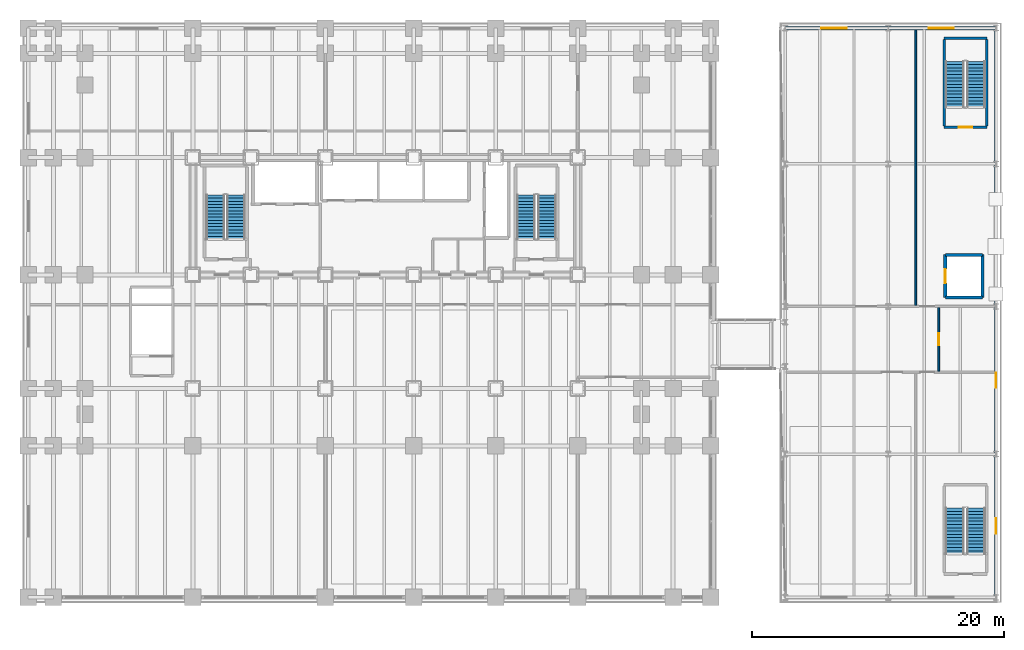
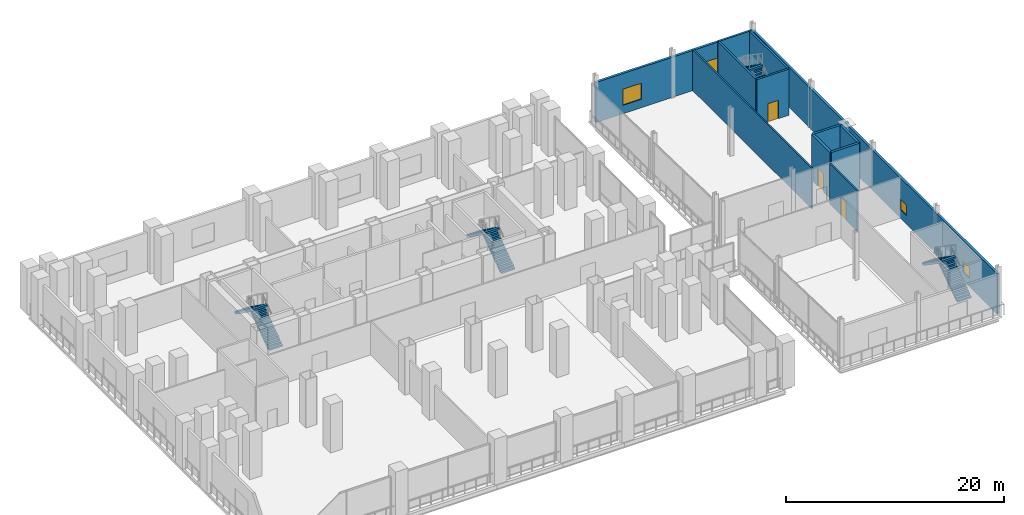
# One storey, part 24 of 30: 12 walls, 8 stair flights, 4 windows, 3 doors, 7 openings, 4 elements without a shape of their own.
"""IFC4 building model written with IfcOpenShell, lengths in metres."""

from ifc_helpers import new_model, si_unit, direction, frame, frame_2d, origin, place, context, subcontext, project, spatial, polyline, rectangle, outline, extrude, material, layer, layer_set, type_object, element, fill, aggregate, save


model = new_model("IFC4")

# Units and contexts
model_context = context("Model", 3, precision=1e-05, world=origin(), true_north=direction((0.0, 1.0)))
body_context = subcontext(model_context, "Body", "Model", "MODEL_VIEW")
ifc_project = project(units=[si_unit("LENGTHUNIT", "METRE"), si_unit("AREAUNIT", "SQUARE_METRE"), si_unit("VOLUMEUNIT", "CUBIC_METRE"), si_unit("PLANEANGLEUNIT", "RADIAN"), si_unit("MASSUNIT", "GRAM", prefix="KILO")], contexts=[model_context])

# Site, building, storey
site_placement = place(None, origin())
site = spatial("IfcSite", under=ifc_project, at=site_placement, CompositionType="ELEMENT")
building_placement = place(site_placement, origin())
building = spatial("IfcBuilding", under=site, at=building_placement, Name="Noeulbin Bourse Tower", CompositionType="ELEMENT")
storey_placement = place(building_placement, frame((0.0, 0.0, 16.60009765625)))
storey = spatial("IfcBuildingStorey", under=building, at=storey_placement, Name="L04", CompositionType="ELEMENT", Elevation=16.60009765625)

# Wall, openings, windows
ifc_material_1 = material(Name="Precast Concrete C40/50", Category="concrete")
ifc_layer_1 = layer(ifc_material_1, 0.25)
ifc_layer_set_1 = layer_set([ifc_layer_1], Name="Precast Concrete C40/50")
wall_type_1 = type_object("IfcWallType", Name="WAL-EXT-250", PredefinedType="STANDARD", material=ifc_layer_set_1)
wall_1_placement = place(storey_placement, frame((60.449951171875, 48.550048828125, 0.0), z_axis=(0.0, 0.0, 1.0), x_axis=(1.0, 0.0, 0.0)))
wall_1 = element("IfcWall", 1, at=wall_1_placement, inside=storey, type_object=wall_type_1, Name="Market Hall North Wall L04", PredefinedType="STANDARD", context=body_context, shape_type="SweptSolid", body=[
    extrude(rectangle(XDim=16.699951171875, YDim=0.25, at=frame_2d((8.35009765625, 0.0))), origin(), (0.0, 0.0, 1.0), 4.510009765625),
])
opening_1_placement = place(wall_1_placement, frame((2.85009765625, 0.0, 0.949951171875)))
opening_1 = element("IfcOpeningElement", 2, at=opening_1_placement, cuts=wall_1, Name="Opening W-02", PredefinedType="OPENING", context=body_context, shape_type="SweptSolid", body=[
    extrude(rectangle(XDim=2.0, YDim=1.800048828125, at=frame_2d((1.0, 0.89990234375))), frame((0.0, 0.135009765625, 0.0), z_axis=(0.0, -1.0, 0.0), x_axis=(1.0, 0.0, 0.0)), (0.0, 0.0, 1.0), 0.27001953125),
])
opening_2_placement = place(wall_1_placement, frame((11.35009765625, 0.0, 0.949951171875)))
opening_2 = element("IfcOpeningElement", 3, at=opening_2_placement, cuts=wall_1, Name="Opening W-02", PredefinedType="OPENING", context=body_context, shape_type="SweptSolid", body=[
    extrude(rectangle(XDim=2.0, YDim=1.800048828125, at=frame_2d((1.0, 0.89990234375))), frame((0.0, 0.135009765625, 0.0), z_axis=(0.0, -1.0, 0.0), x_axis=(1.0, 0.0, 0.0)), (0.0, 0.0, 1.0), 0.27001953125),
])
ifc_material_2 = material(Name="Thermally Broken Aluminium Triple Glazing", Category="aluminium")
window_type_1 = type_object("IfcWindowType", Name="WIN-MKT-2000x1800", PartitioningType="DOUBLE_PANEL_VERTICAL", PredefinedType="WINDOW", material=ifc_material_2)
window_1_placement = place(opening_1_placement, origin())
window_1 = element("IfcWindow", 4, at=window_1_placement, inside=storey, type_object=window_type_1, Name="Market North Window L04-1", OverallHeight=1.800048828125, OverallWidth=2.0, PartitioningType="SINGLE_PANEL", PredefinedType="WINDOW", context=body_context, shape_type="SweptSolid", body=[
    extrude(rectangle(XDim=2.0, YDim=1.800048828125, at=frame_2d((1.0, 0.89990234375))), frame((0.0, 0.030029296875, 0.0), z_axis=(0.0, -1.0, 0.0), x_axis=(1.0, 0.0, 0.0)), (0.0, 0.0, 1.0), 0.06005859375),
])
fill(opening_1, window_1)
window_2_placement = place(opening_2_placement, origin())
window_2 = element("IfcWindow", 5, at=window_2_placement, inside=storey, type_object=window_type_1, Name="Market North Window L04-2", OverallHeight=1.800048828125, OverallWidth=2.0, PartitioningType="SINGLE_PANEL", PredefinedType="WINDOW", context=body_context, shape_type="SweptSolid", body=[
    extrude(rectangle(XDim=2.0, YDim=1.800048828125, at=frame_2d((1.0, 0.89990234375))), frame((0.0, 0.030029296875, 0.0), z_axis=(0.0, -1.0, 0.0), x_axis=(1.0, 0.0, 0.0)), (0.0, 0.0, 1.0), 0.06005859375),
])
fill(opening_2, window_2)

wall_2_placement = place(storey_placement, frame((77.14990234375, 3.449951171875, 0.0), z_axis=(0.0, 0.0, 1.0), x_axis=(0.0, 1.0, 0.0)))
wall_2 = element("IfcWall", 6, at=wall_2_placement, inside=storey, type_object=wall_type_1, Name="Market Hall East Wall L04", PredefinedType="STANDARD", context=body_context, shape_type="SweptSolid", body=[
    extrude(rectangle(XDim=45.10009765625, YDim=0.25, at=frame_2d((22.550048828125, 0.0))), origin(), (0.0, 0.0, 1.0), 4.510009765625),
])
opening_3_placement = place(wall_2_placement, frame((5.050048828125, 0.0, 0.949951171875)))
opening_3 = element("IfcOpeningElement", 7, at=opening_3_placement, cuts=wall_2, Name="Opening W-04", PredefinedType="OPENING", context=body_context, shape_type="SweptSolid", body=[
    extrude(rectangle(XDim=1.199951171875, YDim=1.199951171875, at=frame_2d((0.60009765625, 0.60009765625))), frame((0.0, 0.135009765625, 0.0), z_axis=(0.0, -1.0, 0.0), x_axis=(1.0, 0.0, 0.0)), (0.0, 0.0, 1.0), 0.27001953125),
])
opening_4_placement = place(wall_2_placement, frame((16.60009765625, 0.0, 0.949951171875)))
opening_4 = element("IfcOpeningElement", 8, at=opening_4_placement, cuts=wall_2, Name="Opening W-04", PredefinedType="OPENING", context=body_context, shape_type="SweptSolid", body=[
    extrude(rectangle(XDim=1.199951171875, YDim=1.199951171875, at=frame_2d((0.60009765625, 0.60009765625))), frame((0.0, 0.135009765625, 0.0), z_axis=(0.0, -1.0, 0.0), x_axis=(1.0, 0.0, 0.0)), (0.0, 0.0, 1.0), 0.27001953125),
])
window_type_2 = type_object("IfcWindowType", Name="WIN-PLT-1200x1200", PartitioningType="SINGLE_PANEL", PredefinedType="WINDOW", material=ifc_material_2)
window_3_placement = place(opening_3_placement, origin())
window_3 = element("IfcWindow", 9, at=window_3_placement, inside=storey, type_object=window_type_2, Name="Market East Window L04-1", OverallHeight=1.199951171875, OverallWidth=1.199951171875, PartitioningType="SINGLE_PANEL", PredefinedType="WINDOW", context=body_context, shape_type="SweptSolid", body=[
    extrude(rectangle(XDim=1.199951171875, YDim=1.199951171875, at=frame_2d((0.60009765625, 0.60009765625))), frame((0.0, 0.030029296875, 0.0), z_axis=(0.0, -1.0, 0.0), x_axis=(1.0, 0.0, 0.0)), (0.0, 0.0, 1.0), 0.06005859375),
])
fill(opening_3, window_3)
window_4_placement = place(opening_4_placement, origin())
window_4 = element("IfcWindow", 10, at=window_4_placement, inside=storey, type_object=window_type_2, Name="Market East Window L04-2", OverallHeight=1.199951171875, OverallWidth=1.199951171875, PartitioningType="SINGLE_PANEL", PredefinedType="WINDOW", context=body_context, shape_type="SweptSolid", body=[
    extrude(rectangle(XDim=1.199951171875, YDim=1.199951171875, at=frame_2d((0.60009765625, 0.60009765625))), frame((0.0, 0.030029296875, 0.0), z_axis=(0.0, -1.0, 0.0), x_axis=(1.0, 0.0, 0.0)), (0.0, 0.0, 1.0), 0.06005859375),
])
fill(opening_4, window_4)

# Wall, opening, door
ifc_material_3 = material(Name="Concrete C40/50", Category="concrete")
ifc_layer_2 = layer(ifc_material_3, 0.199951171875)
ifc_layer_set_2 = layer_set([ifc_layer_2], Name="Concrete C40/50")
wall_type_2 = type_object("IfcWallType", Name="WAL-FIRE-200", PredefinedType="STANDARD", material=ifc_layer_set_2)
wall_3_placement = place(storey_placement, frame((73.02001953125, 40.699951171875, 0.0), z_axis=(0.0, 0.0, 1.0), x_axis=(1.0, 0.0, 0.0)))
wall_3 = element("IfcWall", 11, at=wall_3_placement, inside=storey, type_object=wall_type_2, Name="Stair MST2 South Wall L04", PredefinedType="STANDARD", context=body_context, shape_type="SweptSolid", body=[
    extrude(rectangle(XDim=3.39990234375, YDim=0.199951171875, at=frame_2d((1.699951171875, 0.0))), origin(), (0.0, 0.0, 1.0), 5.179931640625),
])
opening_5_placement = place(wall_3_placement, frame((1.14990234375, 0.0, 0.0)))
opening_5 = element("IfcOpeningElement", 12, at=opening_5_placement, cuts=wall_3, Name="Opening FD-11", PredefinedType="OPENING", context=body_context, shape_type="SweptSolid", body=[
    extrude(rectangle(XDim=1.10009765625, YDim=2.080078125, at=frame_2d((0.550048828125, 1.0400390625))), frame((0.0, 0.10986328125, 0.0), z_axis=(0.0, -1.0, 0.0), x_axis=(1.0, 0.0, 0.0)), (0.0, 0.0, 1.0), 0.219970703125),
])
ifc_material_4 = material(Name="Fire-Rated Insulated Steel", Category="steel")
door_type_1 = type_object("IfcDoorType", Name="DR-FD60-1100", OperationType="SINGLE_SWING_LEFT", PredefinedType="DOOR", material=ifc_material_4)
door_1_placement = place(opening_5_placement, origin())
door_1 = element("IfcDoor", 13, at=door_1_placement, inside=storey, type_object=door_type_1, Name="Escape Stair Door MST2-L04", OperationType="SINGLE_SWING_RIGHT", OverallHeight=2.080078125, OverallWidth=1.10009765625, PredefinedType="DOOR", context=body_context, shape_type="SweptSolid", body=[
    extrude(rectangle(XDim=1.10009765625, YDim=2.080078125, at=frame_2d((0.550048828125, 1.0400390625))), frame((0.0, 0.02490234375, 0.0), z_axis=(0.0, -1.0, 0.0), x_axis=(1.0, 0.0, 0.0)), (0.0, 0.0, 1.0), 0.050048828125),
])
fill(opening_5, door_1)

# Walls
wall_4_placement = place(storey_placement, frame((73.02001953125, 47.760009765625, 0.0), z_axis=(0.0, 0.0, 1.0), x_axis=(1.0, 0.0, 0.0)))
element("IfcWall", 14, at=wall_4_placement, inside=storey, type_object=wall_type_2, Name="Stair MST2 North Wall L04", PredefinedType="STANDARD", context=body_context, shape_type="SweptSolid", body=[
    extrude(rectangle(XDim=3.39990234375, YDim=0.199951171875, at=frame_2d((1.699951171875, 0.0))), origin(), (0.0, 0.0, 1.0), 5.179931640625),
])
for number, where, z_axis, x_axis, name in (
    (15, (73.0400390625, 40.800048828125, 0.0), (0.0, 0.0, 1.0), (0.0, 1.0, 0.0), "Stair MST2 West Wall L04"),
    (16, (76.39990234375, 40.800048828125, 0.0), (0.0, 0.0, 1.0), (0.0, 1.0, 0.0), "Stair MST2 East Wall L04"),
):
    element("IfcWall", number, at=place(storey_placement, frame(where, z_axis=z_axis, x_axis=x_axis)), inside=storey, type_object=wall_type_2, Name=name, PredefinedType="STANDARD", context=body_context, shape_type="SweptSolid", body=[
        extrude(rectangle(XDim=6.85986328125, YDim=0.199951171875, at=frame_2d((3.429931640625, 0.0))), origin(), (0.0, 0.0, 1.0), 5.179931640625),
    ])

# Wall, opening, door
ifc_material_5 = material(Name="Steel Stud Acoustic Gypsum Board", Category="steel")
ifc_layer_3 = layer(ifc_material_5, 0.14990234375)
ifc_layer_set_3 = layer_set([ifc_layer_3], Name="Steel Stud Acoustic Gypsum Board")
wall_type_3 = type_object("IfcWallType", Name="WAL-PRT-150", PredefinedType="PARTITIONING", material=ifc_layer_set_3)
wall_5_placement = place(storey_placement, frame((72.60009765625, 21.385009765625, 0.0), z_axis=(0.0, 0.0, 1.0), x_axis=(0.0, 1.0, 0.0)))
wall_5 = element("IfcWall", 17, at=wall_5_placement, inside=storey, type_object=wall_type_3, Name="Interior Partition Wall L04-14", PredefinedType="PARTITIONING", context=body_context, shape_type="SweptSolid", body=[
    extrude(rectangle(XDim=5.030029296875, YDim=0.14990234375, at=frame_2d((2.51513671875, 0.0))), origin(), (0.0, 0.0, 1.0), 4.559814453125),
])
opening_6_placement = place(wall_5_placement, frame((2.0400390625, 0.0, 0.0)))
opening_6 = element("IfcOpeningElement", 18, at=opening_6_placement, cuts=wall_5, Name="Opening ID-09", PredefinedType="OPENING", context=body_context, shape_type="SweptSolid", body=[
    extrude(rectangle(XDim=0.949951171875, YDim=2.080078125, at=frame_2d((0.47509765625, 1.0400390625))), frame((0.0, 0.0849609375, 0.0), z_axis=(0.0, -1.0, 0.0), x_axis=(1.0, 0.0, 0.0)), (0.0, 0.0, 1.0), 0.169921875),
])
ifc_material_6 = material(Name="Acoustic Solid-Core Timber", Category="wood")
door_type_2 = type_object("IfcDoorType", Name="DR-SINGLE-950", OperationType="SINGLE_SWING_LEFT", PredefinedType="DOOR", material=ifc_material_6)
door_2_placement = place(opening_6_placement, origin())
door_2 = element("IfcDoor", 19, at=door_2_placement, inside=storey, type_object=door_type_2, Name="Market Accessible Washroom Door L04", OperationType="SINGLE_SWING_RIGHT", OverallHeight=2.080078125, OverallWidth=0.949951171875, PredefinedType="DOOR", context=body_context, shape_type="SweptSolid", body=[
    extrude(rectangle(XDim=0.949951171875, YDim=2.080078125, at=frame_2d((0.47509765625, 1.0400390625))), frame((0.0, 0.02490234375, 0.0), z_axis=(0.0, -1.0, 0.0), x_axis=(1.0, 0.0, 0.0)), (0.0, 0.0, 1.0), 0.050048828125),
])
fill(opening_6, door_2)

# Wall
wall_6_placement = place(storey_placement, frame((70.780029296875, 26.5849609375, 0.0), z_axis=(0.0, 0.0, 1.0), x_axis=(0.0, 1.0, 0.0)))
element("IfcWall", 20, at=wall_6_placement, inside=storey, type_object=wall_type_3, Name="Interior Partition Wall L04-16", PredefinedType="PARTITIONING", context=body_context, shape_type="SweptSolid", body=[
    extrude(rectangle(XDim=21.8349609375, YDim=0.14990234375, at=frame_2d((10.91748046875, 0.0))), origin(), (0.0, 0.0, 1.0), 4.559814453125),
])

# Wall, opening, door
ifc_layer_4 = layer(ifc_material_3, 0.25)
ifc_layer_set_4 = layer_set([ifc_layer_4], Name="Concrete C40/50")
wall_type_4 = type_object("IfcWallType", Name="WAL-SHFT-250", PredefinedType="STANDARD", material=ifc_layer_set_4)
wall_7_placement = place(storey_placement, frame((73.1201171875, 27.199951171875, 0.0), z_axis=(0.0, 0.0, 1.0), x_axis=(0.0, 1.0, 0.0)))
wall_7 = element("IfcWall", 21, at=wall_7_placement, inside=storey, type_object=wall_type_4, Name="Market Lift Shaft Front Wall L04", PredefinedType="STANDARD", context=body_context, shape_type="SweptSolid", body=[
    extrude(rectangle(XDim=3.400146484375, YDim=0.25, at=frame_2d((1.7001953125, 0.0))), origin(), (0.0, 0.0, 1.0), 5.159912109375),
])
opening_7_placement = place(wall_7_placement, frame((1.14990234375, 0.0, 0.0)))
opening_7 = element("IfcOpeningElement", 22, at=opening_7_placement, cuts=wall_7, Name="Opening LD-11", PredefinedType="OPENING", context=body_context, shape_type="SweptSolid", body=[
    extrude(rectangle(XDim=1.10009765625, YDim=2.080078125, at=frame_2d((0.550048828125, 1.0400390625))), frame((0.0, 0.135009765625, 0.0), z_axis=(0.0, -1.0, 0.0), x_axis=(1.0, 0.0, 0.0)), (0.0, 0.0, 1.0), 0.27001953125),
])
ifc_material_7 = material(Name="Brushed Stainless Steel 316", Category="steel")
door_type_3 = type_object("IfcDoorType", Name="DR-LIFT-1100", OperationType="SLIDING_TO_LEFT", PredefinedType="DOOR", material=ifc_material_7)
door_3_placement = place(opening_7_placement, origin())
door_3 = element("IfcDoor", 23, at=door_3_placement, inside=storey, type_object=door_type_3, Name="Lift Landing Door LD-ML-1-L04", OperationType="SLIDING_TO_LEFT", OverallHeight=2.080078125, OverallWidth=1.10009765625, PredefinedType="DOOR", context=body_context, shape_type="SweptSolid", body=[
    extrude(rectangle(XDim=1.10009765625, YDim=2.080078125, at=frame_2d((0.550048828125, 1.0400390625))), frame((0.0, 0.02490234375, 0.0), z_axis=(0.0, -1.0, 0.0), x_axis=(1.0, 0.0, 0.0)), (0.0, 0.0, 1.0), 0.050048828125),
])
fill(opening_7, door_3)

# Walls
wall_8_placement = place(storey_placement, frame((76.080078125, 27.199951171875, 0.0), z_axis=(0.0, 0.0, 1.0), x_axis=(0.0, 1.0, 0.0)))
element("IfcWall", 24, at=wall_8_placement, inside=storey, type_object=wall_type_4, Name="Market Lift Shaft Back Wall L04", PredefinedType="STANDARD", context=body_context, shape_type="SweptSolid", body=[
    extrude(rectangle(XDim=3.400146484375, YDim=0.25, at=frame_2d((1.7001953125, 0.0))), origin(), (0.0, 0.0, 1.0), 5.159912109375),
])
for number, where, z_axis, x_axis, name in (
    (25, (73.1201171875, 27.219970703125, 0.0), (0.0, 0.0, 1.0), (1.0, 0.0, 0.0), "Market Lift Shaft South Wall L04"),
    (26, (73.1201171875, 30.580078125, 0.0), (0.0, 0.0, 1.0), (1.0, 0.0, 0.0), "Market Lift Shaft North Wall L04"),
):
    element("IfcWall", number, at=place(storey_placement, frame(where, z_axis=z_axis, x_axis=x_axis)), inside=storey, type_object=wall_type_4, Name=name, PredefinedType="STANDARD", context=body_context, shape_type="SweptSolid", body=[
        extrude(rectangle(XDim=2.9599609375, YDim=0.25, at=frame_2d((1.47998046875, 0.0))), origin(), (0.0, 0.0, 1.0), 5.159912109375),
    ])

# Stair, stair flights
stair_type_1 = type_object("IfcStairType", Name="STR-CORE-1560", PredefinedType="HALF_TURN_STAIR", material=ifc_material_3)
stair_1_placement = place(storey_placement, origin())
stair_1 = element("IfcStair", 27, at=stair_1_placement, inside=storey, type_object=stair_type_1, Name="L04 ST-1", PredefinedType="HALF_TURN_STAIR")
stair_flight_type_1 = type_object("IfcStairFlightType", Name="SFL-CORE-1560", PredefinedType="STRAIGHT", material=ifc_material_3)
stair_flight_1_placement = place(storey_placement, frame((16.925048828125, 31.81005859375, 0.0), z_axis=(0.0, 0.0, 1.0), x_axis=(0.0, 1.0, 0.0)))
stair_flight_1 = element("IfcStairFlight", 28, at=stair_flight_1_placement, type_object=stair_flight_type_1, Name="ST-1 flight 1", NumberOfRisers=15, NumberOfTreads=14, PredefinedType="STRAIGHT", RiserHeight=0.18, TreadLength=0.252, context=body_context, shape_type="SweptSolid", body=[
    extrude(outline(polyline([(0.0, 0.0), (0.0, 0.179931640625), (0.251953125, 0.179931640625), (0.251953125, 0.360107421875), (0.50390625, 0.360107421875), (0.50390625, 0.5400390625), (0.756103515625, 0.5400390625), (0.756103515625, 0.719970703125), (1.008056640625, 0.719970703125), (1.008056640625, 0.89990234375), (1.260009765625, 0.89990234375), (1.260009765625, 1.080078125), (1.511962890625, 1.080078125), (1.511962890625, 1.260009765625), (1.763916015625, 1.260009765625), (1.763916015625, 1.43994140625), (2.01611328125, 1.43994140625), (2.01611328125, 1.6201171875), (2.26806640625, 1.6201171875), (2.26806640625, 1.800048828125), (2.52001953125, 1.800048828125), (2.52001953125, 1.97998046875), (2.77197265625, 1.97998046875), (2.77197265625, 2.159912109375), (3.02392578125, 2.159912109375), (3.02392578125, 2.340087890625), (3.27587890625, 2.340087890625), (3.27587890625, 2.52001953125), (3.528076171875, 2.52001953125), (3.528076171875, 2.699951171875), (3.528076171875, 2.298828125), (0.3095703125, 0.0), (0.0, 0.0)])), frame((0.0, 0.72509765625, 0.0), z_axis=(0.0, -1.0, 0.0), x_axis=(1.0, 0.0, 0.0)), (0.0, 0.0, 1.0), 1.449951171875),
])
stair_flight_2_placement = place(storey_placement, frame((15.27490234375, 35.337890625, 2.699951171875), z_axis=(0.0, 0.0, 1.0), x_axis=(0.0, -1.0, 0.0)))
stair_flight_2 = element("IfcStairFlight", 29, at=stair_flight_2_placement, type_object=stair_flight_type_1, Name="ST-1 flight 2", NumberOfRisers=15, NumberOfTreads=14, PredefinedType="STRAIGHT", RiserHeight=0.18, TreadLength=0.252, context=body_context, shape_type="SweptSolid", body=[
    extrude(outline(polyline([(0.0, 0.0), (0.0, 0.179931640625), (0.251953125, 0.179931640625), (0.251953125, 0.360107421875), (0.50390625, 0.360107421875), (0.50390625, 0.5400390625), (0.756103515625, 0.5400390625), (0.756103515625, 0.719970703125), (1.008056640625, 0.719970703125), (1.008056640625, 0.89990234375), (1.260009765625, 0.89990234375), (1.260009765625, 1.080078125), (1.511962890625, 1.080078125), (1.511962890625, 1.260009765625), (1.763916015625, 1.260009765625), (1.763916015625, 1.43994140625), (2.01611328125, 1.43994140625), (2.01611328125, 1.6201171875), (2.26806640625, 1.6201171875), (2.26806640625, 1.800048828125), (2.52001953125, 1.800048828125), (2.52001953125, 1.97998046875), (2.77197265625, 1.97998046875), (2.77197265625, 2.159912109375), (3.02392578125, 2.159912109375), (3.02392578125, 2.340087890625), (3.27587890625, 2.340087890625), (3.27587890625, 2.52001953125), (3.528076171875, 2.52001953125), (3.528076171875, 2.699951171875), (3.528076171875, 2.298828125), (0.3095703125, 0.0), (0.0, 0.0)])), frame((0.0, 0.72509765625, 0.0), z_axis=(0.0, -1.0, 0.0), x_axis=(1.0, 0.0, 0.0)), (0.0, 0.0, 1.0), 1.449951171875),
])
aggregate(stair_1, [stair_flight_1, stair_flight_2])

stair_2_placement = place(storey_placement, origin())
stair_2 = element("IfcStair", 30, at=stair_2_placement, inside=storey, type_object=stair_type_1, Name="L04 ST-2", PredefinedType="HALF_TURN_STAIR")
stair_flight_3_placement = place(storey_placement, frame((41.554931640625, 31.81005859375, 0.0), z_axis=(0.0, 0.0, 1.0), x_axis=(0.0, 1.0, 0.0)))
stair_flight_3 = element("IfcStairFlight", 31, at=stair_flight_3_placement, type_object=stair_flight_type_1, Name="ST-2 flight 1", NumberOfRisers=15, NumberOfTreads=14, PredefinedType="STRAIGHT", RiserHeight=0.18, TreadLength=0.252, context=body_context, shape_type="SweptSolid", body=[
    extrude(outline(polyline([(0.0, 0.0), (0.0, 0.179931640625), (0.251953125, 0.179931640625), (0.251953125, 0.360107421875), (0.50390625, 0.360107421875), (0.50390625, 0.5400390625), (0.756103515625, 0.5400390625), (0.756103515625, 0.719970703125), (1.008056640625, 0.719970703125), (1.008056640625, 0.89990234375), (1.260009765625, 0.89990234375), (1.260009765625, 1.080078125), (1.511962890625, 1.080078125), (1.511962890625, 1.260009765625), (1.763916015625, 1.260009765625), (1.763916015625, 1.43994140625), (2.01611328125, 1.43994140625), (2.01611328125, 1.6201171875), (2.26806640625, 1.6201171875), (2.26806640625, 1.800048828125), (2.52001953125, 1.800048828125), (2.52001953125, 1.97998046875), (2.77197265625, 1.97998046875), (2.77197265625, 2.159912109375), (3.02392578125, 2.159912109375), (3.02392578125, 2.340087890625), (3.27587890625, 2.340087890625), (3.27587890625, 2.52001953125), (3.528076171875, 2.52001953125), (3.528076171875, 2.699951171875), (3.528076171875, 2.298828125), (0.3095703125, 0.0), (0.0, 0.0)])), frame((0.0, 0.72509765625, 0.0), z_axis=(0.0, -1.0, 0.0), x_axis=(1.0, 0.0, 0.0)), (0.0, 0.0, 1.0), 1.449951171875),
])
stair_flight_4_placement = place(storey_placement, frame((39.905029296875, 35.337890625, 2.699951171875), z_axis=(0.0, 0.0, 1.0), x_axis=(0.0, -1.0, 0.0)))
stair_flight_4 = element("IfcStairFlight", 32, at=stair_flight_4_placement, type_object=stair_flight_type_1, Name="ST-2 flight 2", NumberOfRisers=15, NumberOfTreads=14, PredefinedType="STRAIGHT", RiserHeight=0.18, TreadLength=0.252, context=body_context, shape_type="SweptSolid", body=[
    extrude(outline(polyline([(0.0, 0.0), (0.0, 0.179931640625), (0.251953125, 0.179931640625), (0.251953125, 0.360107421875), (0.50390625, 0.360107421875), (0.50390625, 0.5400390625), (0.756103515625, 0.5400390625), (0.756103515625, 0.719970703125), (1.008056640625, 0.719970703125), (1.008056640625, 0.89990234375), (1.260009765625, 0.89990234375), (1.260009765625, 1.080078125), (1.511962890625, 1.080078125), (1.511962890625, 1.260009765625), (1.763916015625, 1.260009765625), (1.763916015625, 1.43994140625), (2.01611328125, 1.43994140625), (2.01611328125, 1.6201171875), (2.26806640625, 1.6201171875), (2.26806640625, 1.800048828125), (2.52001953125, 1.800048828125), (2.52001953125, 1.97998046875), (2.77197265625, 1.97998046875), (2.77197265625, 2.159912109375), (3.02392578125, 2.159912109375), (3.02392578125, 2.340087890625), (3.27587890625, 2.340087890625), (3.27587890625, 2.52001953125), (3.528076171875, 2.52001953125), (3.528076171875, 2.699951171875), (3.528076171875, 2.298828125), (0.3095703125, 0.0), (0.0, 0.0)])), frame((0.0, 0.72509765625, 0.0), z_axis=(0.0, -1.0, 0.0), x_axis=(1.0, 0.0, 0.0)), (0.0, 0.0, 1.0), 1.449951171875),
])
aggregate(stair_2, [stair_flight_3, stair_flight_4])

stair_type_2 = type_object("IfcStairType", Name="STR-MKT-1480", PredefinedType="HALF_TURN_STAIR", material=ifc_material_3)
stair_3_placement = place(storey_placement, origin())
stair_3 = element("IfcStair", 33, at=stair_3_placement, inside=storey, type_object=stair_type_2, Name="L04 MST-1", PredefinedType="HALF_TURN_STAIR")
stair_flight_type_2 = type_object("IfcStairFlightType", Name="SFL-MKT-1480", PredefinedType="STRAIGHT", material=ifc_material_3)
stair_flight_5_placement = place(storey_placement, frame((75.56005859375, 6.8798828125, 0.0), z_axis=(0.0, 0.0, 1.0), x_axis=(0.0, 1.0, 0.0)))
stair_flight_5 = element("IfcStairFlight", 34, at=stair_flight_5_placement, type_object=stair_flight_type_2, Name="MST-1 flight 1", NumberOfRisers=15, NumberOfTreads=14, PredefinedType="STRAIGHT", RiserHeight=0.18, TreadLength=0.26, context=body_context, shape_type="SweptSolid", body=[
    extrude(outline(polyline([(0.0, 0.0), (0.0, 0.179931640625), (0.260009765625, 0.179931640625), (0.260009765625, 0.360107421875), (0.52001953125, 0.360107421875), (0.52001953125, 0.5400390625), (0.780029296875, 0.5400390625), (0.780029296875, 0.719970703125), (1.0400390625, 0.719970703125), (1.0400390625, 0.89990234375), (1.300048828125, 0.89990234375), (1.300048828125, 1.080078125), (1.56005859375, 1.080078125), (1.56005859375, 1.260009765625), (1.820068359375, 1.260009765625), (1.820068359375, 1.43994140625), (2.080078125, 1.43994140625), (2.080078125, 1.6201171875), (2.340087890625, 1.6201171875), (2.340087890625, 1.800048828125), (2.60009765625, 1.800048828125), (2.60009765625, 1.97998046875), (2.860107421875, 1.97998046875), (2.860107421875, 2.159912109375), (3.1201171875, 2.159912109375), (3.1201171875, 2.340087890625), (3.3798828125, 2.340087890625), (3.3798828125, 2.52001953125), (3.639892578125, 2.52001953125), (3.639892578125, 2.699951171875), (3.639892578125, 2.30126953125), (0.316162109375, 0.0), (0.0, 0.0)])), frame((0.0, 0.739990234375, 0.0), z_axis=(0.0, -1.0, 0.0), x_axis=(1.0, 0.0, 0.0)), (0.0, 0.0, 1.0), 1.47998046875),
])
stair_flight_6_placement = place(storey_placement, frame((73.8798828125, 10.52001953125, 2.699951171875), z_axis=(0.0, 0.0, 1.0), x_axis=(0.0, -1.0, 0.0)))
stair_flight_6 = element("IfcStairFlight", 35, at=stair_flight_6_placement, type_object=stair_flight_type_2, Name="MST-1 flight 2", NumberOfRisers=15, NumberOfTreads=14, PredefinedType="STRAIGHT", RiserHeight=0.18, TreadLength=0.26, context=body_context, shape_type="SweptSolid", body=[
    extrude(outline(polyline([(0.0, 0.0), (0.0, 0.179931640625), (0.260009765625, 0.179931640625), (0.260009765625, 0.360107421875), (0.52001953125, 0.360107421875), (0.52001953125, 0.5400390625), (0.780029296875, 0.5400390625), (0.780029296875, 0.719970703125), (1.0400390625, 0.719970703125), (1.0400390625, 0.89990234375), (1.300048828125, 0.89990234375), (1.300048828125, 1.080078125), (1.56005859375, 1.080078125), (1.56005859375, 1.260009765625), (1.820068359375, 1.260009765625), (1.820068359375, 1.43994140625), (2.080078125, 1.43994140625), (2.080078125, 1.6201171875), (2.340087890625, 1.6201171875), (2.340087890625, 1.800048828125), (2.60009765625, 1.800048828125), (2.60009765625, 1.97998046875), (2.860107421875, 1.97998046875), (2.860107421875, 2.159912109375), (3.1201171875, 2.159912109375), (3.1201171875, 2.340087890625), (3.3798828125, 2.340087890625), (3.3798828125, 2.52001953125), (3.639892578125, 2.52001953125), (3.639892578125, 2.699951171875), (3.639892578125, 2.30126953125), (0.316162109375, 0.0), (0.0, 0.0)])), frame((0.0, 0.739990234375, 0.0), z_axis=(0.0, -1.0, 0.0), x_axis=(1.0, 0.0, 0.0)), (0.0, 0.0, 1.0), 1.47998046875),
])
aggregate(stair_3, [stair_flight_5, stair_flight_6])

stair_4_placement = place(storey_placement, origin())
stair_4 = element("IfcStair", 36, at=stair_4_placement, inside=storey, type_object=stair_type_2, Name="L04 MST-2", PredefinedType="HALF_TURN_STAIR")
stair_flight_7_placement = place(storey_placement, frame((75.56005859375, 42.280029296875, 0.0), z_axis=(0.0, 0.0, 1.0), x_axis=(0.0, 1.0, 0.0)))
stair_flight_7 = element("IfcStairFlight", 37, at=stair_flight_7_placement, type_object=stair_flight_type_2, Name="MST-2 flight 1", NumberOfRisers=15, NumberOfTreads=14, PredefinedType="STRAIGHT", RiserHeight=0.18, TreadLength=0.26, context=body_context, shape_type="SweptSolid", body=[
    extrude(outline(polyline([(0.0, 0.0), (0.0, 0.179931640625), (0.260009765625, 0.179931640625), (0.260009765625, 0.360107421875), (0.52001953125, 0.360107421875), (0.52001953125, 0.5400390625), (0.780029296875, 0.5400390625), (0.780029296875, 0.719970703125), (1.0400390625, 0.719970703125), (1.0400390625, 0.89990234375), (1.300048828125, 0.89990234375), (1.300048828125, 1.080078125), (1.56005859375, 1.080078125), (1.56005859375, 1.260009765625), (1.820068359375, 1.260009765625), (1.820068359375, 1.43994140625), (2.080078125, 1.43994140625), (2.080078125, 1.6201171875), (2.340087890625, 1.6201171875), (2.340087890625, 1.800048828125), (2.60009765625, 1.800048828125), (2.60009765625, 1.97998046875), (2.860107421875, 1.97998046875), (2.860107421875, 2.159912109375), (3.1201171875, 2.159912109375), (3.1201171875, 2.340087890625), (3.3798828125, 2.340087890625), (3.3798828125, 2.52001953125), (3.639892578125, 2.52001953125), (3.639892578125, 2.699951171875), (3.639892578125, 2.30126953125), (0.316162109375, 0.0), (0.0, 0.0)])), frame((0.0, 0.739990234375, 0.0), z_axis=(0.0, -1.0, 0.0), x_axis=(1.0, 0.0, 0.0)), (0.0, 0.0, 1.0), 1.47998046875),
])
stair_flight_8_placement = place(storey_placement, frame((73.8798828125, 45.919921875, 2.699951171875), z_axis=(0.0, 0.0, 1.0), x_axis=(0.0, -1.0, 0.0)))
stair_flight_8 = element("IfcStairFlight", 38, at=stair_flight_8_placement, type_object=stair_flight_type_2, Name="MST-2 flight 2", NumberOfRisers=15, NumberOfTreads=14, PredefinedType="STRAIGHT", RiserHeight=0.18, TreadLength=0.26, context=body_context, shape_type="SweptSolid", body=[
    extrude(outline(polyline([(0.0, 0.0), (0.0, 0.179931640625), (0.260009765625, 0.179931640625), (0.260009765625, 0.360107421875), (0.52001953125, 0.360107421875), (0.52001953125, 0.5400390625), (0.780029296875, 0.5400390625), (0.780029296875, 0.719970703125), (1.0400390625, 0.719970703125), (1.0400390625, 0.89990234375), (1.300048828125, 0.89990234375), (1.300048828125, 1.080078125), (1.56005859375, 1.080078125), (1.56005859375, 1.260009765625), (1.820068359375, 1.260009765625), (1.820068359375, 1.43994140625), (2.080078125, 1.43994140625), (2.080078125, 1.6201171875), (2.340087890625, 1.6201171875), (2.340087890625, 1.800048828125), (2.60009765625, 1.800048828125), (2.60009765625, 1.97998046875), (2.860107421875, 1.97998046875), (2.860107421875, 2.159912109375), (3.1201171875, 2.159912109375), (3.1201171875, 2.340087890625), (3.3798828125, 2.340087890625), (3.3798828125, 2.52001953125), (3.639892578125, 2.52001953125), (3.639892578125, 2.699951171875), (3.639892578125, 2.30126953125), (0.316162109375, 0.0), (0.0, 0.0)])), frame((0.0, 0.739990234375, 0.0), z_axis=(0.0, -1.0, 0.0), x_axis=(1.0, 0.0, 0.0)), (0.0, 0.0, 1.0), 1.47998046875),
])
aggregate(stair_4, [stair_flight_7, stair_flight_8])

save(model, "model.ifc")
